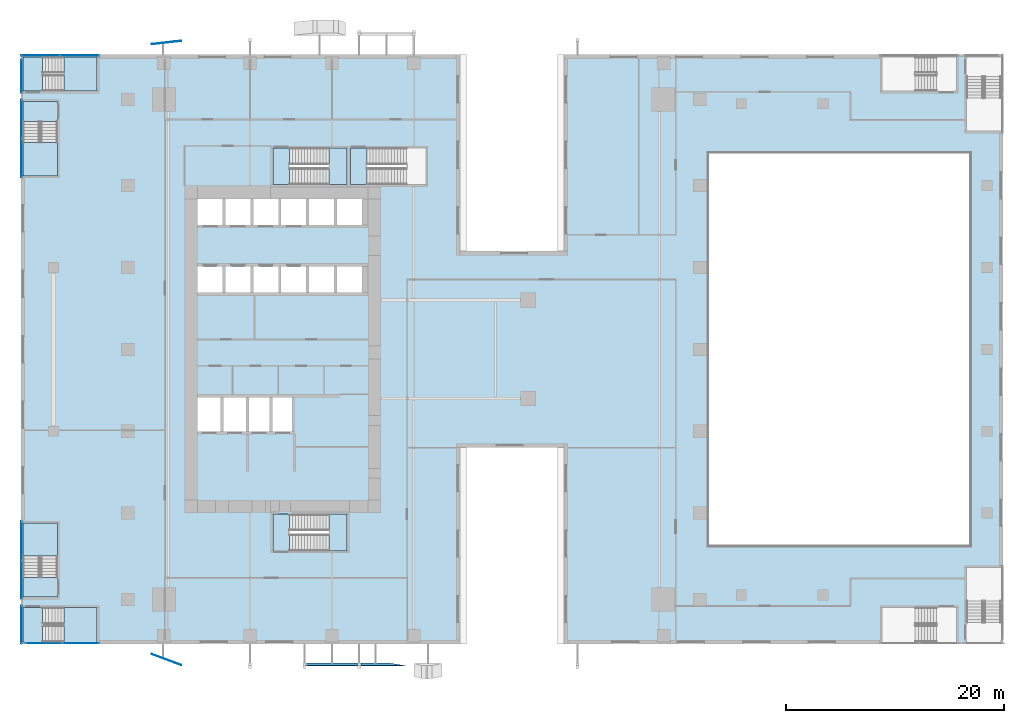
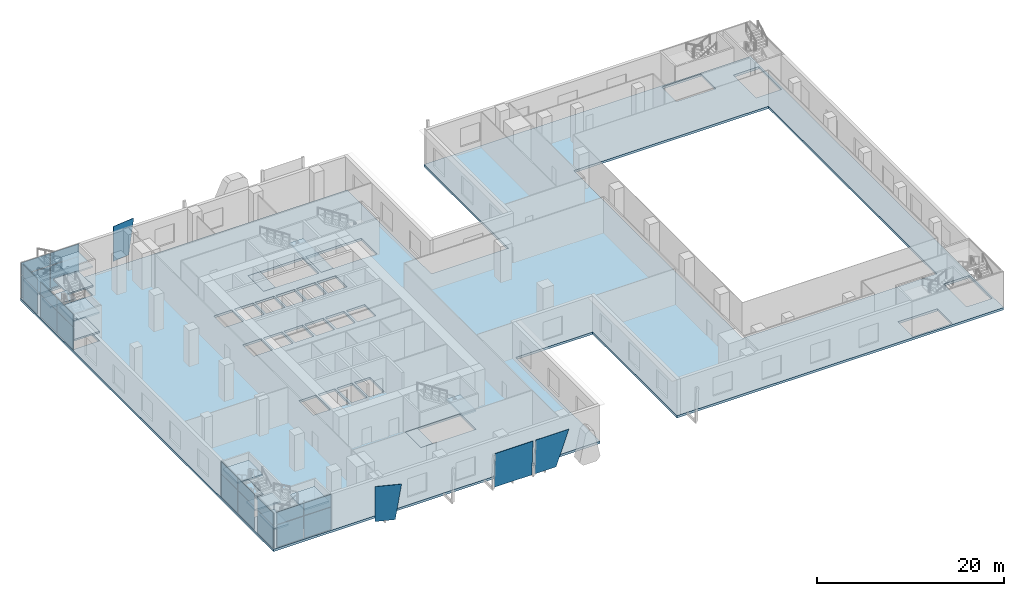
# One storey, part 8 of 22: 24 plates, 18 slabs, 12 elements without a shape of their own.
"""IFC4 building model written with IfcOpenShell, lengths in metres."""

from ifc_helpers import new_model, si_unit, direction, frame, origin, origin_2d, place, context, subcontext, project, spatial, polyline, rectangle, outline, extrude, source, transform, mapped, material, layer, layer_set, type_object, element, aggregate, save


model = new_model("IFC4")

# Units and contexts
model_context = context("Model", 3, precision=1e-05, world=origin(), true_north=direction((0.0, 1.0)))
body_context = subcontext(model_context, "Body", "Model", "MODEL_VIEW")
ifc_project = project(units=[si_unit("LENGTHUNIT", "METRE"), si_unit("AREAUNIT", "SQUARE_METRE"), si_unit("VOLUMEUNIT", "CUBIC_METRE"), si_unit("PLANEANGLEUNIT", "RADIAN"), si_unit("MASSUNIT", "GRAM", prefix="KILO")], contexts=[model_context])

# Site, building, storey
site_placement = place(None, origin())
site = spatial("IfcSite", under=ifc_project, at=site_placement, CompositionType="ELEMENT")
building_placement = place(site_placement, origin())
building = spatial("IfcBuilding", under=site, at=building_placement, Name="Khomas Fold Tower", CompositionType="ELEMENT")
storey_placement = place(building_placement, frame((0.0, 0.0, 23.5)))
storey = spatial("IfcBuildingStorey", under=building, at=storey_placement, Name="L04", CompositionType="ELEMENT", Elevation=23.5)

# Plates
ifc_material_1 = material(Name="Clear laminated glass", Category="glass")
ifc_layer_1 = layer(ifc_material_1, 0.0400390625)
ifc_layer_set_1 = layer_set([ifc_layer_1], Name="Clear laminated glass")
plate_type_1 = type_object("IfcPlateType", Name="SK-Clear laminated glass leaf", PredefinedType="SHEET", material=ifc_layer_set_1)
plate_1_placement = place(storey_placement, frame((5.69921875, -1.902099609375, 4.550048828125), z_axis=(0.348068119892, 0.937469244243, 3.762091e-06), x_axis=(-0.139598116523, 0.051834632873, -0.988850613944)))
element("IfcPlate", 1, at=plate_1_placement, inside=storey, type_object=plate_type_1, Name="OUTER SKIN glass L04 SG098-1", PredefinedType="SHEET", context=body_context, shape_type="SweptSolid", body=[
    extrude(outline(polyline([(0.0, 0.0), (4.601351067619656, 0.0), (4.928072958081401, 2.169613439699873), (0.4287543809130141, 2.8471654149579493), (0.0, 0.0)])), origin(), (0.0, 0.0, -1.0), 0.0400390625),
])
plate_2_placement = place(storey_placement, frame((21.830078125, -1.97705078125, 4.550048828125), z_axis=(0.0, 0.998628761104, 0.052350716295), x_axis=(0.0, 0.052350716295, -0.998628761104)))
element("IfcPlate", 2, at=plate_2_placement, inside=storey, type_object=plate_type_1, Name="OUTER SKIN glass L04 SG101-4", PredefinedType="SHEET", context=body_context, shape_type="SweptSolid", body=[
    extrude(outline(polyline([(0.0, 0.0), (4.556296599245323, 0.0), (4.556296599245323, 4.66015625), (0.0, 4.66015625), (0.0, 0.0)])), origin(), (0.0, 0.0, -1.0), 0.0400390625),
])
plate_3_placement = place(storey_placement, frame((26.255615234375, -1.97705078125, 4.550048828125), z_axis=(0.0, 0.998628761104, 0.052350716295), x_axis=(-0.299203666612, 0.049952491846, -0.952880850077)))
element("IfcPlate", 3, at=plate_3_placement, inside=storey, type_object=plate_type_1, Name="OUTER SKIN glass L04 SG102-6", PredefinedType="SHEET", context=body_context, shape_type="SweptSolid", body=[
    extrude(outline(polyline([(0.0, 0.0), (4.775044883896551, -4.440892098500626e-16), (5.570023766645895, 2.5352641215730056), (1.2224544337783954, 3.8985247702402144), (0.0, 0.0)])), origin(), (0.0, 0.0, -1.0), 0.0400390625),
])
plate_4_placement = place(storey_placement, frame((5.69482421875, 55.240234375, 4.550048828125), z_axis=(0.110655499588, -0.993858823178, 1.771094e-06), x_axis=(-0.139768022015, -0.015563431581, -0.990061957465)))
element("IfcPlate", 4, at=plate_4_placement, inside=storey, type_object=plate_type_1, Name="OUTER SKIN glass L04 NG098-1", PredefinedType="SHEET", context=body_context, shape_type="SweptSolid", body=[
    extrude(outline(polyline([(0.0, 0.0), (4.5957213019165035, -1.1102230246251565e-16), (4.886772103746781, -2.049025904869673), (0.3819418544117971, -2.688907740002728), (0.0, 0.0)])), origin(), (0.0, 0.0, -1.0), 0.0400390625),
])

# Slab
ifc_material_2 = material(Name="Concrete C40/50", Category="concrete")
ifc_layer_2 = layer(ifc_material_2, 0.300048828125)
ifc_layer_set_2 = layer_set([ifc_layer_2], Name="Concrete C40/50")
slab_type_1 = type_object("IfcSlabType", Name="RC floor slab 300", PredefinedType="FLOOR", material=ifc_layer_set_2)
shared_shape_1 = source(origin(), body_context, "Body", "SweptSolid", [
    extrude(outline(polyline([(-9.0, 0.0), (31.25, 0.0), (31.25, 18.0), (40.75, 18.0), (40.75, 0.0), (81.0, 0.0), (81.0, 54.0), (40.75, 54.0), (40.75, 36.0), (31.25, 36.0), (31.25, 54.0), (-9.0, 54.0), (-9.0, 0.0)]), holes=[polyline([(-8.800048828125, 6.2099609375), (-8.800048828125, 11.10009765625), (-5.64990234375, 11.10009765625), (-5.64990234375, 6.2099609375), (-8.800048828125, 6.2099609375)]), polyline([(-8.800048828125, 42.89990234375), (-8.800048828125, 47.7900390625), (-5.64990234375, 47.7900390625), (-5.64990234375, 42.89990234375), (-8.800048828125, 42.89990234375)]), polyline([(-6.889892578125, 0.199951171875), (-6.889892578125, 3.35009765625), (-2.0, 3.35009765625), (-2.0, 0.199951171875), (-6.889892578125, 0.199951171875)]), polyline([(-6.889892578125, 50.64990234375), (-6.889892578125, 53.800048828125), (-2.0, 53.800048828125), (-2.0, 50.64990234375), (-6.889892578125, 50.64990234375)]), polyline([(7.199951171875, 19.5), (7.199951171875, 22.60009765625), (9.300048828125, 22.60009765625), (9.300048828125, 19.5), (7.199951171875, 19.5)]), polyline([(7.199951171875, 32.199951171875), (7.199951171875, 34.60009765625), (9.5, 34.60009765625), (9.5, 32.199951171875), (7.199951171875, 32.199951171875)]), polyline([(7.199951171875, 38.39990234375), (7.199951171875, 40.800048828125), (9.5, 40.800048828125), (9.5, 38.39990234375), (7.199951171875, 38.39990234375)]), polyline([(9.550048828125, 19.5), (9.550048828125, 22.60009765625), (11.64990234375, 22.60009765625), (11.64990234375, 19.5), (9.550048828125, 19.5)]), polyline([(9.75, 32.199951171875), (9.75, 34.60009765625), (12.050048828125, 34.60009765625), (12.050048828125, 32.199951171875), (9.75, 32.199951171875)]), polyline([(9.75, 38.39990234375), (9.75, 40.800048828125), (12.050048828125, 40.800048828125), (12.050048828125, 38.39990234375), (9.75, 38.39990234375)]), polyline([(11.89990234375, 19.5), (11.89990234375, 22.60009765625), (13.800048828125, 22.60009765625), (13.800048828125, 19.5), (11.89990234375, 19.5)]), polyline([(12.300048828125, 32.199951171875), (12.300048828125, 34.60009765625), (14.60009765625, 34.60009765625), (14.60009765625, 32.199951171875), (12.300048828125, 32.199951171875)]), polyline([(12.300048828125, 38.39990234375), (12.300048828125, 40.800048828125), (14.60009765625, 40.800048828125), (14.60009765625, 38.39990234375), (12.300048828125, 38.39990234375)]), polyline([(14.050048828125, 19.5), (14.050048828125, 22.60009765625), (15.949951171875, 22.60009765625), (15.949951171875, 19.5), (14.050048828125, 19.5)]), polyline([(14.10009765625, 8.550048828125), (14.10009765625, 11.89990234375), (20.89990234375, 11.89990234375), (20.89990234375, 8.550048828125), (14.10009765625, 8.550048828125)]), polyline([(14.10009765625, 42.10009765625), (14.10009765625, 45.449951171875), (20.89990234375, 45.449951171875), (20.89990234375, 42.10009765625), (14.10009765625, 42.10009765625)]), polyline([(14.85009765625, 32.199951171875), (14.85009765625, 34.60009765625), (17.14990234375, 34.60009765625), (17.14990234375, 32.199951171875), (14.85009765625, 32.199951171875)]), polyline([(14.85009765625, 38.39990234375), (14.85009765625, 40.800048828125), (17.14990234375, 40.800048828125), (17.14990234375, 38.39990234375), (14.85009765625, 38.39990234375)]), polyline([(17.39990234375, 32.199951171875), (17.39990234375, 34.60009765625), (19.699951171875, 34.60009765625), (19.699951171875, 32.199951171875), (17.39990234375, 32.199951171875)]), polyline([(17.39990234375, 38.39990234375), (17.39990234375, 40.800048828125), (19.699951171875, 40.800048828125), (19.699951171875, 38.39990234375), (17.39990234375, 38.39990234375)]), polyline([(19.949951171875, 32.199951171875), (19.949951171875, 34.60009765625), (22.25, 34.60009765625), (22.25, 32.199951171875), (19.949951171875, 32.199951171875)]), polyline([(19.949951171875, 38.39990234375), (19.949951171875, 40.800048828125), (22.25, 40.800048828125), (22.25, 38.39990234375), (19.949951171875, 38.39990234375)]), polyline([(21.199951171875, 42.10009765625), (21.199951171875, 45.449951171875), (28.10009765625, 45.449951171875), (28.10009765625, 42.10009765625), (21.199951171875, 42.10009765625)]), polyline([(54.0, 9.0), (54.0, 45.0), (78.0, 45.0), (78.0, 9.0), (54.0, 9.0)]), polyline([(69.89990234375, 0.199951171875), (69.89990234375, 3.35009765625), (74.7900390625, 3.35009765625), (74.7900390625, 0.199951171875), (69.89990234375, 0.199951171875)]), polyline([(69.89990234375, 50.64990234375), (69.89990234375, 53.800048828125), (74.7900390625, 53.800048828125), (74.7900390625, 50.64990234375), (69.89990234375, 50.64990234375)]), polyline([(77.64990234375, 2.110107421875), (77.64990234375, 7.0), (80.800048828125, 7.0), (80.800048828125, 2.110107421875), (77.64990234375, 2.110107421875)]), polyline([(77.64990234375, 47.0), (77.64990234375, 51.889892578125), (80.800048828125, 51.889892578125), (80.800048828125, 47.0), (77.64990234375, 47.0)])]), origin(), (0.0, 0.0, 1.0), 0.300048828125),
])
slab_1_placement = place(storey_placement, frame((0.0, 0.0, -0.300048828125)))
element("IfcSlab", 5, at=slab_1_placement, inside=storey, type_object=slab_type_1, Name="S-L04", PredefinedType="FLOOR", context=body_context, shape_type="MappedRepresentation", body=[
    mapped(shared_shape_1, transform((0.0, 0.0, 0.0))),
])

# Curtain wall, plate
ifc_material_3 = material(Name="Aluminium framed double glazing", Category="aluminium")
curtain_wall_type = type_object("IfcCurtainWallType", Name="Shopfront glazing PD-CW", PredefinedType="NOTDEFINED", material=ifc_material_3)
curtain_wall_1_placement = place(storey_placement, origin())
curtain_wall_1 = element("IfcCurtainWall", 6, at=curtain_wall_1_placement, inside=storey, type_object=curtain_wall_type, Name="Podium stair-tower glazing", PredefinedType="NOTDEFINED")
ifc_material_4 = material(Name="Double glazed unit")
ifc_layer_3 = layer(ifc_material_4, 0.031982421875)
ifc_layer_set_3 = layer_set([ifc_layer_3], Name="Double glazed unit")
plate_type_2 = type_object("IfcPlateType", Name="Shopfront glazing panel PD-CW-P", PredefinedType="CURTAIN_PANEL", material=ifc_layer_set_3)
shared_shape_2 = source(origin(), body_context, "Body", "SweptSolid", [
    extrude(rectangle(XDim=3.0400390625, YDim=0.031982421875, at=origin_2d()), origin(), (0.0, 0.0, 1.0), 2.909912109375),
])
plate_5_placement = place(storey_placement, frame((-8.919921875, 52.02001953125, 0.06005859375), z_axis=(0.0, 0.0, 1.0), x_axis=(0.0, -1.0, 0.0)))
plate_5 = element("IfcPlate", 7, at=plate_5_placement, type_object=plate_type_2, Name="PD-CW panel 1.1", PredefinedType="CURTAIN_PANEL", context=body_context, shape_type="MappedRepresentation", body=[
    mapped(shared_shape_2, transform((0.0, 0.0, 0.0))),
])

# Curtain wall, plates
curtain_wall_2_placement = place(storey_placement, origin())
curtain_wall_2 = element("IfcCurtainWall", 8, at=curtain_wall_2_placement, inside=storey, type_object=curtain_wall_type, Name="Podium stair-tower glazing", PredefinedType="NOTDEFINED")
shared_shape_3 = source(origin(), body_context, "Body", "SweptSolid", [
    extrude(rectangle(XDim=3.52001953125, YDim=0.031982421875, at=origin_2d()), origin(), (0.0, 0.0, 1.0), 2.909912109375),
])
plate_6_placement = place(storey_placement, frame((-8.919921875, 48.090087890625, 0.06005859375), z_axis=(0.0, 0.0, 1.0), x_axis=(0.0, -1.0, 0.0)))
plate_6 = element("IfcPlate", 9, at=plate_6_placement, type_object=plate_type_2, Name="PD-CW panel 1.1", PredefinedType="CURTAIN_PANEL", context=body_context, shape_type="MappedRepresentation", body=[
    mapped(shared_shape_3, transform((0.0, 0.0, 0.0))),
])
plate_7_placement = place(storey_placement, frame((-8.919921875, 44.510009765625, 0.06005859375), z_axis=(0.0, 0.0, 1.0), x_axis=(0.0, -1.0, 0.0)))
plate_7 = element("IfcPlate", 10, at=plate_7_placement, type_object=plate_type_2, Name="PD-CW panel 2.1", PredefinedType="CURTAIN_PANEL", context=body_context, shape_type="MappedRepresentation", body=[
    mapped(shared_shape_3, transform((0.0, 0.0, 0.0))),
])

curtain_wall_3_placement = place(storey_placement, origin())
curtain_wall_3 = element("IfcCurtainWall", 11, at=curtain_wall_3_placement, inside=storey, type_object=curtain_wall_type, Name="Podium stair-tower glazing", PredefinedType="NOTDEFINED")
plate_8_placement = place(storey_placement, frame((-8.919921875, 9.489990234375, 0.06005859375), z_axis=(0.0, 0.0, 1.0), x_axis=(0.0, -1.0, 0.0)))
plate_8 = element("IfcPlate", 12, at=plate_8_placement, type_object=plate_type_2, Name="PD-CW panel 1.1", PredefinedType="CURTAIN_PANEL", context=body_context, shape_type="MappedRepresentation", body=[
    mapped(shared_shape_3, transform((0.0, 0.0, 0.0))),
])
plate_9_placement = place(storey_placement, frame((-8.919921875, 5.909912109375, 0.06005859375), z_axis=(0.0, 0.0, 1.0), x_axis=(0.0, -1.0, 0.0)))
plate_9 = element("IfcPlate", 13, at=plate_9_placement, type_object=plate_type_2, Name="PD-CW panel 2.1", PredefinedType="CURTAIN_PANEL", context=body_context, shape_type="MappedRepresentation", body=[
    mapped(shared_shape_3, transform((0.0, 0.0, 0.0))),
])

# Curtain wall, plate
curtain_wall_4_placement = place(storey_placement, origin())
curtain_wall_4 = element("IfcCurtainWall", 14, at=curtain_wall_4_placement, inside=storey, type_object=curtain_wall_type, Name="Podium stair-tower glazing", PredefinedType="NOTDEFINED")
shared_shape_4 = source(origin(), body_context, "Body", "SweptSolid", [
    extrude(rectangle(XDim=3.43994140625, YDim=0.031982421875, at=origin_2d()), origin(), (0.0, 0.0, 1.0), 2.909912109375),
])
plate_10_placement = place(storey_placement, frame((-8.919921875, 1.780029296875, 0.06005859375), z_axis=(0.0, 0.0, 1.0), x_axis=(0.0, -1.0, 0.0)))
plate_10 = element("IfcPlate", 15, at=plate_10_placement, type_object=plate_type_2, Name="PD-CW panel 1.1", PredefinedType="CURTAIN_PANEL", context=body_context, shape_type="MappedRepresentation", body=[
    mapped(shared_shape_4, transform((0.0, 0.0, 0.0))),
])

# Curtain wall, plates
curtain_wall_5_placement = place(storey_placement, origin())
curtain_wall_5 = element("IfcCurtainWall", 16, at=curtain_wall_5_placement, inside=storey, type_object=curtain_wall_type, Name="Podium stair-tower glazing", PredefinedType="NOTDEFINED")
shared_shape_5 = source(origin(), body_context, "Body", "SweptSolid", [
    extrude(rectangle(XDim=3.31494140625, YDim=0.031982421875, at=origin_2d()), origin(), (0.0, 0.0, 1.0), 2.909912109375),
])
plate_11_placement = place(storey_placement, frame((-6.882568359375, 0.080078125, 0.06005859375), z_axis=(0.0, 0.0, 1.0), x_axis=(1.0, 0.0, 0.0)))
plate_11 = element("IfcPlate", 17, at=plate_11_placement, type_object=plate_type_2, Name="PD-CW panel 1.1", PredefinedType="CURTAIN_PANEL", context=body_context, shape_type="MappedRepresentation", body=[
    mapped(shared_shape_5, transform((0.0, 0.0, 0.0))),
])
plate_12_placement = place(storey_placement, frame((-3.507568359375, 0.080078125, 0.06005859375), z_axis=(0.0, 0.0, 1.0), x_axis=(1.0, 0.0, 0.0)))
plate_12 = element("IfcPlate", 18, at=plate_12_placement, type_object=plate_type_2, Name="PD-CW panel 2.1", PredefinedType="CURTAIN_PANEL", context=body_context, shape_type="MappedRepresentation", body=[
    mapped(shared_shape_5, transform((0.0, 0.0, 0.0))),
])

curtain_wall_6_placement = place(storey_placement, origin())
curtain_wall_6 = element("IfcCurtainWall", 19, at=curtain_wall_6_placement, inside=storey, type_object=curtain_wall_type, Name="Podium stair-tower glazing", PredefinedType="NOTDEFINED")
shared_shape_6 = source(origin(), body_context, "Body", "SweptSolid", [
    extrude(rectangle(XDim=3.514892578125, YDim=0.031982421875, at=origin_2d()), origin(), (0.0, 0.0, 1.0), 2.909912109375),
])
plate_13_placement = place(storey_placement, frame((-3.607421875, 53.919921875, 0.06005859375), z_axis=(0.0, 0.0, 1.0), x_axis=(-1.0, 0.0, 0.0)))
plate_13 = element("IfcPlate", 20, at=plate_13_placement, type_object=plate_type_2, Name="PD-CW panel 1.1", PredefinedType="CURTAIN_PANEL", context=body_context, shape_type="MappedRepresentation", body=[
    mapped(shared_shape_6, transform((0.0, 0.0, 0.0))),
])
plate_14_placement = place(storey_placement, frame((-7.1826171875, 53.919921875, 0.06005859375), z_axis=(0.0, 0.0, 1.0), x_axis=(-1.0, 0.0, 0.0)))
plate_14 = element("IfcPlate", 21, at=plate_14_placement, type_object=plate_type_2, Name="PD-CW panel 2.1", PredefinedType="CURTAIN_PANEL", context=body_context, shape_type="MappedRepresentation", body=[
    mapped(shared_shape_6, transform((0.0, 0.0, 0.0))),
])

# Plate
shared_shape_7 = source(origin(), body_context, "Body", "SweptSolid", [
    extrude(rectangle(XDim=3.0400390625, YDim=0.031982421875, at=origin_2d()), origin(), (0.0, 0.0, 1.0), 1.610107421875),
])
plate_15_placement = place(storey_placement, frame((-8.919921875, 52.02001953125, 3.02978515625), z_axis=(0.0, 0.0, 1.0), x_axis=(0.0, -1.0, 0.0)))
plate_15 = element("IfcPlate", 22, at=plate_15_placement, type_object=plate_type_2, Name="PD-CW panel 1.2", PredefinedType="CURTAIN_PANEL", context=body_context, shape_type="MappedRepresentation", body=[
    mapped(shared_shape_7, transform((0.0, 0.0, 0.0))),
])

aggregate(curtain_wall_1, [plate_5, plate_15])

shared_shape_8 = source(origin(), body_context, "Body", "SweptSolid", [
    extrude(rectangle(XDim=3.52001953125, YDim=0.031982421875, at=origin_2d()), origin(), (0.0, 0.0, 1.0), 1.610107421875),
])
plate_16_placement = place(storey_placement, frame((-8.919921875, 48.090087890625, 3.02978515625), z_axis=(0.0, 0.0, 1.0), x_axis=(0.0, -1.0, 0.0)))
plate_16 = element("IfcPlate", 23, at=plate_16_placement, type_object=plate_type_2, Name="PD-CW panel 1.2", PredefinedType="CURTAIN_PANEL", context=body_context, shape_type="MappedRepresentation", body=[
    mapped(shared_shape_8, transform((0.0, 0.0, 0.0))),
])

plate_17_placement = place(storey_placement, frame((-8.919921875, 44.510009765625, 3.02978515625), z_axis=(0.0, 0.0, 1.0), x_axis=(0.0, -1.0, 0.0)))
plate_17 = element("IfcPlate", 24, at=plate_17_placement, type_object=plate_type_2, Name="PD-CW panel 2.2", PredefinedType="CURTAIN_PANEL", context=body_context, shape_type="MappedRepresentation", body=[
    mapped(shared_shape_8, transform((0.0, 0.0, 0.0))),
])

aggregate(curtain_wall_2, [plate_6, plate_16, plate_7, plate_17])

plate_18_placement = place(storey_placement, frame((-8.919921875, 9.489990234375, 3.02978515625), z_axis=(0.0, 0.0, 1.0), x_axis=(0.0, -1.0, 0.0)))
plate_18 = element("IfcPlate", 25, at=plate_18_placement, type_object=plate_type_2, Name="PD-CW panel 1.2", PredefinedType="CURTAIN_PANEL", context=body_context, shape_type="MappedRepresentation", body=[
    mapped(shared_shape_8, transform((0.0, 0.0, 0.0))),
])

plate_19_placement = place(storey_placement, frame((-8.919921875, 5.909912109375, 3.02978515625), z_axis=(0.0, 0.0, 1.0), x_axis=(0.0, -1.0, 0.0)))
plate_19 = element("IfcPlate", 26, at=plate_19_placement, type_object=plate_type_2, Name="PD-CW panel 2.2", PredefinedType="CURTAIN_PANEL", context=body_context, shape_type="MappedRepresentation", body=[
    mapped(shared_shape_8, transform((0.0, 0.0, 0.0))),
])

aggregate(curtain_wall_3, [plate_8, plate_18, plate_9, plate_19])

shared_shape_9 = source(origin(), body_context, "Body", "SweptSolid", [
    extrude(rectangle(XDim=3.43994140625, YDim=0.031982421875, at=origin_2d()), origin(), (0.0, 0.0, 1.0), 1.610107421875),
])
plate_20_placement = place(storey_placement, frame((-8.919921875, 1.780029296875, 3.02978515625), z_axis=(0.0, 0.0, 1.0), x_axis=(0.0, -1.0, 0.0)))
plate_20 = element("IfcPlate", 27, at=plate_20_placement, type_object=plate_type_2, Name="PD-CW panel 1.2", PredefinedType="CURTAIN_PANEL", context=body_context, shape_type="MappedRepresentation", body=[
    mapped(shared_shape_9, transform((0.0, 0.0, 0.0))),
])

aggregate(curtain_wall_4, [plate_10, plate_20])

shared_shape_10 = source(origin(), body_context, "Body", "SweptSolid", [
    extrude(rectangle(XDim=3.31494140625, YDim=0.031982421875, at=origin_2d()), origin(), (0.0, 0.0, 1.0), 1.610107421875),
])
plate_21_placement = place(storey_placement, frame((-6.882568359375, 0.080078125, 3.02978515625), z_axis=(0.0, 0.0, 1.0), x_axis=(1.0, 0.0, 0.0)))
plate_21 = element("IfcPlate", 28, at=plate_21_placement, type_object=plate_type_2, Name="PD-CW panel 1.2", PredefinedType="CURTAIN_PANEL", context=body_context, shape_type="MappedRepresentation", body=[
    mapped(shared_shape_10, transform((0.0, 0.0, 0.0))),
])

plate_22_placement = place(storey_placement, frame((-3.507568359375, 0.080078125, 3.02978515625), z_axis=(0.0, 0.0, 1.0), x_axis=(1.0, 0.0, 0.0)))
plate_22 = element("IfcPlate", 29, at=plate_22_placement, type_object=plate_type_2, Name="PD-CW panel 2.2", PredefinedType="CURTAIN_PANEL", context=body_context, shape_type="MappedRepresentation", body=[
    mapped(shared_shape_10, transform((0.0, 0.0, 0.0))),
])

aggregate(curtain_wall_5, [plate_11, plate_21, plate_12, plate_22])

shared_shape_11 = source(origin(), body_context, "Body", "SweptSolid", [
    extrude(rectangle(XDim=3.514892578125, YDim=0.031982421875, at=origin_2d()), origin(), (0.0, 0.0, 1.0), 1.610107421875),
])
plate_23_placement = place(storey_placement, frame((-3.607421875, 53.919921875, 3.02978515625), z_axis=(0.0, 0.0, 1.0), x_axis=(-1.0, 0.0, 0.0)))
plate_23 = element("IfcPlate", 30, at=plate_23_placement, type_object=plate_type_2, Name="PD-CW panel 1.2", PredefinedType="CURTAIN_PANEL", context=body_context, shape_type="MappedRepresentation", body=[
    mapped(shared_shape_11, transform((0.0, 0.0, 0.0))),
])

plate_24_placement = place(storey_placement, frame((-7.1826171875, 53.919921875, 3.02978515625), z_axis=(0.0, 0.0, 1.0), x_axis=(-1.0, 0.0, 0.0)))
plate_24 = element("IfcPlate", 31, at=plate_24_placement, type_object=plate_type_2, Name="PD-CW panel 2.2", PredefinedType="CURTAIN_PANEL", context=body_context, shape_type="MappedRepresentation", body=[
    mapped(shared_shape_11, transform((0.0, 0.0, 0.0))),
])

aggregate(curtain_wall_6, [plate_13, plate_23, plate_14, plate_24])

# Stair, slab
ifc_material_5 = material(Name="Concrete C40/50", Category="concrete")
stair_type_1 = type_object("IfcStairType", Name="Stair ST1", PredefinedType="HALF_TURN_STAIR", material=ifc_material_5)
stair_1_placement = place(storey_placement, origin())
stair_1 = element("IfcStair", 32, at=stair_1_placement, inside=storey, type_object=stair_type_1, Name="L04 ST1", PredefinedType="HALF_TURN_STAIR")
ifc_material_6 = material(Name="Concrete C40/50", Category="concrete")
ifc_layer_4 = layer(ifc_material_6, 0.199951171875)
ifc_layer_set_4 = layer_set([ifc_layer_4], Name="Concrete C40/50")
slab_type_2 = type_object("IfcSlabType", Name="Stair landing 200", PredefinedType="LANDING", material=ifc_layer_set_4)
shared_shape_12 = source(origin(), body_context, "Body", "SweptSolid", [
    extrude(outline(polyline([(19.239990234375, 42.10009765625), (20.89990234375, 42.10009765625), (20.89990234375, 45.449951171875), (19.239990234375, 45.449951171875), (19.239990234375, 42.10009765625)])), origin(), (0.0, 0.0, 1.0), 0.199951171875),
])
slab_2_placement = place(storey_placement, frame((0.0, 0.0, 2.300048828125)))
slab_2 = element("IfcSlab", 33, at=slab_2_placement, type_object=slab_type_2, Name="ST1 landing 1", PredefinedType="LANDING", context=body_context, shape_type="MappedRepresentation", body=[
    mapped(shared_shape_12, transform((0.0, 0.0, 0.0))),
])
aggregate(stair_1, [slab_2])

# Slab
ifc_material_7 = material(Name="Concrete C40/50", Category="concrete")
ifc_layer_5 = layer(ifc_material_7, 0.300048828125)
ifc_layer_set_5 = layer_set([ifc_layer_5], Name="Concrete C40/50")
slab_type_3 = type_object("IfcSlabType", Name="Stair floor landing 300", PredefinedType="LANDING", material=ifc_layer_set_5)
shared_shape_13 = source(origin(), body_context, "Body", "SweptSolid", [
    extrude(outline(polyline([(14.10009765625, 45.449951171875), (15.60009765625, 45.449951171875), (15.60009765625, 42.10009765625), (14.10009765625, 42.10009765625), (14.10009765625, 45.449951171875)])), origin(), (0.0, 0.0, 1.0), 0.300048828125),
])
slab_3_placement = place(storey_placement, frame((0.0, 0.0, -0.300048828125)))
element("IfcSlab", 34, at=slab_3_placement, inside=storey, type_object=slab_type_3, Name="ST1 floor landing", PredefinedType="LANDING", context=body_context, shape_type="MappedRepresentation", body=[
    mapped(shared_shape_13, transform((0.0, 0.0, 0.0))),
])

# Stair, slab
ifc_material_8 = material(Name="Concrete C40/50", Category="concrete")
stair_type_2 = type_object("IfcStairType", Name="Stair ST2", PredefinedType="HALF_TURN_STAIR", material=ifc_material_8)
stair_2_placement = place(storey_placement, origin())
stair_2 = element("IfcStair", 35, at=stair_2_placement, inside=storey, type_object=stair_type_2, Name="L04 ST2", PredefinedType="HALF_TURN_STAIR")
shared_shape_14 = source(origin(), body_context, "Body", "SweptSolid", [
    extrude(outline(polyline([(19.239990234375, 8.550048828125), (20.89990234375, 8.550048828125), (20.89990234375, 11.89990234375), (19.239990234375, 11.89990234375), (19.239990234375, 8.550048828125)])), origin(), (0.0, 0.0, 1.0), 0.199951171875),
])
slab_4_placement = place(storey_placement, frame((0.0, 0.0, 2.300048828125)))
slab_4 = element("IfcSlab", 36, at=slab_4_placement, type_object=slab_type_2, Name="ST2 landing 1", PredefinedType="LANDING", context=body_context, shape_type="MappedRepresentation", body=[
    mapped(shared_shape_14, transform((0.0, 0.0, 0.0))),
])
aggregate(stair_2, [slab_4])

# Slabs
shared_shape_15 = source(origin(), body_context, "Body", "SweptSolid", [
    extrude(outline(polyline([(14.10009765625, 11.89990234375), (15.60009765625, 11.89990234375), (15.60009765625, 8.550048828125), (14.10009765625, 8.550048828125), (14.10009765625, 11.89990234375)])), origin(), (0.0, 0.0, 1.0), 0.300048828125),
])
slab_5_placement = place(storey_placement, frame((0.0, 0.0, -0.300048828125)))
element("IfcSlab", 37, at=slab_5_placement, inside=storey, type_object=slab_type_3, Name="ST2 floor landing", PredefinedType="LANDING", context=body_context, shape_type="MappedRepresentation", body=[
    mapped(shared_shape_15, transform((0.0, 0.0, 0.0))),
])
shared_shape_16 = source(origin(), body_context, "Body", "SweptSolid", [
    extrude(outline(polyline([(21.199951171875, 45.449951171875), (22.699951171875, 45.449951171875), (22.699951171875, 42.10009765625), (21.199951171875, 42.10009765625), (21.199951171875, 45.449951171875)])), origin(), (0.0, 0.0, 1.0), 0.300048828125),
])
slab_6_placement = place(storey_placement, frame((0.0, 0.0, -0.300048828125)))
element("IfcSlab", 38, at=slab_6_placement, inside=storey, type_object=slab_type_3, Name="ST3 floor landing", PredefinedType="LANDING", context=body_context, shape_type="MappedRepresentation", body=[
    mapped(shared_shape_16, transform((0.0, 0.0, 0.0))),
])

# Stair, slabs
ifc_material_9 = material(Name="Concrete C40/50", Category="concrete")
stair_type_3 = type_object("IfcStairType", Name="Stair PS1", PredefinedType="HALF_TURN_STAIR", material=ifc_material_9)
stair_3_placement = place(storey_placement, origin())
stair_3 = element("IfcStair", 39, at=stair_3_placement, inside=storey, type_object=stair_type_3, Name="L04 PS1", PredefinedType="HALF_TURN_STAIR")
shared_shape_17 = source(origin(), body_context, "Body", "SweptSolid", [
    extrude(outline(polyline([(-8.800048828125, 0.199951171875), (-7.0, 0.199951171875), (-7.0, 3.35009765625), (-8.800048828125, 3.35009765625), (-8.800048828125, 0.199951171875)])), origin(), (0.0, 0.0, 1.0), 0.199951171875),
])
slab_7_placement = place(storey_placement, frame((0.0, 0.0, 2.300048828125)))
slab_7 = element("IfcSlab", 40, at=slab_7_placement, type_object=slab_type_2, Name="PS1 landing 2", PredefinedType="LANDING", context=body_context, shape_type="MappedRepresentation", body=[
    mapped(shared_shape_17, transform((0.0, 0.0, 0.0))),
])
shared_shape_18 = source(origin(), body_context, "Body", "SweptSolid", [
    extrude(outline(polyline([(-5.0400390625, 0.199951171875), (-2.0, 0.199951171875), (-2.0, 3.35009765625), (-5.0400390625, 3.35009765625), (-5.0400390625, 0.199951171875)])), origin(), (0.0, 0.0, 1.0), 0.199951171875),
])
slab_8_placement = place(storey_placement, frame((0.0, 0.0, 1.050048828125)))
slab_8 = element("IfcSlab", 41, at=slab_8_placement, type_object=slab_type_2, Name="PS1 landing 1", PredefinedType="LANDING", context=body_context, shape_type="MappedRepresentation", body=[
    mapped(shared_shape_18, transform((0.0, 0.0, 0.0))),
])
slab_9_placement = place(storey_placement, frame((0.0, 0.0, 3.550048828125)))
slab_9 = element("IfcSlab", 42, at=slab_9_placement, type_object=slab_type_2, Name="PS1 landing 3", PredefinedType="LANDING", context=body_context, shape_type="MappedRepresentation", body=[
    mapped(shared_shape_18, transform((0.0, 0.0, 0.0))),
])
aggregate(stair_3, [slab_8, slab_7, slab_9])

ifc_material_10 = material(Name="Concrete C40/50", Category="concrete")
stair_type_4 = type_object("IfcStairType", Name="Stair PS2", PredefinedType="HALF_TURN_STAIR", material=ifc_material_10)
stair_4_placement = place(storey_placement, origin())
stair_4 = element("IfcStair", 43, at=stair_4_placement, inside=storey, type_object=stair_type_4, Name="L04 PS2", PredefinedType="HALF_TURN_STAIR")
shared_shape_19 = source(origin(), body_context, "Body", "SweptSolid", [
    extrude(outline(polyline([(-5.64990234375, 4.300048828125), (-5.64990234375, 6.10009765625), (-8.800048828125, 6.10009765625), (-8.800048828125, 4.300048828125), (-5.64990234375, 4.300048828125)])), origin(), (0.0, 0.0, 1.0), 0.199951171875),
])
slab_10_placement = place(storey_placement, frame((0.0, 0.0, 2.300048828125)))
slab_10 = element("IfcSlab", 44, at=slab_10_placement, type_object=slab_type_2, Name="PS2 landing 2", PredefinedType="LANDING", context=body_context, shape_type="MappedRepresentation", body=[
    mapped(shared_shape_19, transform((0.0, 0.0, 0.0))),
])
shared_shape_20 = source(origin(), body_context, "Body", "SweptSolid", [
    extrude(outline(polyline([(-5.64990234375, 8.06005859375), (-5.64990234375, 11.10009765625), (-8.800048828125, 11.10009765625), (-8.800048828125, 8.06005859375), (-5.64990234375, 8.06005859375)])), origin(), (0.0, 0.0, 1.0), 0.199951171875),
])
slab_11_placement = place(storey_placement, frame((0.0, 0.0, 1.050048828125)))
slab_11 = element("IfcSlab", 45, at=slab_11_placement, type_object=slab_type_2, Name="PS2 landing 1", PredefinedType="LANDING", context=body_context, shape_type="MappedRepresentation", body=[
    mapped(shared_shape_20, transform((0.0, 0.0, 0.0))),
])
slab_12_placement = place(storey_placement, frame((0.0, 0.0, 3.550048828125)))
slab_12 = element("IfcSlab", 46, at=slab_12_placement, type_object=slab_type_2, Name="PS2 landing 3", PredefinedType="LANDING", context=body_context, shape_type="MappedRepresentation", body=[
    mapped(shared_shape_20, transform((0.0, 0.0, 0.0))),
])
aggregate(stair_4, [slab_11, slab_10, slab_12])

ifc_material_11 = material(Name="Concrete C40/50", Category="concrete")
stair_type_5 = type_object("IfcStairType", Name="Stair PS7", PredefinedType="HALF_TURN_STAIR", material=ifc_material_11)
stair_5_placement = place(storey_placement, origin())
stair_5 = element("IfcStair", 47, at=stair_5_placement, inside=storey, type_object=stair_type_5, Name="L04 PS7", PredefinedType="HALF_TURN_STAIR")
shared_shape_21 = source(origin(), body_context, "Body", "SweptSolid", [
    extrude(outline(polyline([(-8.800048828125, 50.64990234375), (-7.0, 50.64990234375), (-7.0, 53.800048828125), (-8.800048828125, 53.800048828125), (-8.800048828125, 50.64990234375)])), origin(), (0.0, 0.0, 1.0), 0.199951171875),
])
slab_13_placement = place(storey_placement, frame((0.0, 0.0, 2.300048828125)))
slab_13 = element("IfcSlab", 48, at=slab_13_placement, type_object=slab_type_2, Name="PS7 landing 2", PredefinedType="LANDING", context=body_context, shape_type="MappedRepresentation", body=[
    mapped(shared_shape_21, transform((0.0, 0.0, 0.0))),
])
shared_shape_22 = source(origin(), body_context, "Body", "SweptSolid", [
    extrude(outline(polyline([(-5.0400390625, 50.64990234375), (-2.0, 50.64990234375), (-2.0, 53.800048828125), (-5.0400390625, 53.800048828125), (-5.0400390625, 50.64990234375)])), origin(), (0.0, 0.0, 1.0), 0.199951171875),
])
slab_14_placement = place(storey_placement, frame((0.0, 0.0, 1.050048828125)))
slab_14 = element("IfcSlab", 49, at=slab_14_placement, type_object=slab_type_2, Name="PS7 landing 1", PredefinedType="LANDING", context=body_context, shape_type="MappedRepresentation", body=[
    mapped(shared_shape_22, transform((0.0, 0.0, 0.0))),
])
slab_15_placement = place(storey_placement, frame((0.0, 0.0, 3.550048828125)))
slab_15 = element("IfcSlab", 50, at=slab_15_placement, type_object=slab_type_2, Name="PS7 landing 3", PredefinedType="LANDING", context=body_context, shape_type="MappedRepresentation", body=[
    mapped(shared_shape_22, transform((0.0, 0.0, 0.0))),
])
aggregate(stair_5, [slab_14, slab_13, slab_15])

ifc_material_12 = material(Name="Concrete C40/50", Category="concrete")
stair_type_6 = type_object("IfcStairType", Name="Stair PS8", PredefinedType="HALF_TURN_STAIR", material=ifc_material_12)
stair_6_placement = place(storey_placement, origin())
stair_6 = element("IfcStair", 51, at=stair_6_placement, inside=storey, type_object=stair_type_6, Name="L04 PS8", PredefinedType="HALF_TURN_STAIR")
shared_shape_23 = source(origin(), body_context, "Body", "SweptSolid", [
    extrude(outline(polyline([(-8.800048828125, 49.699951171875), (-8.800048828125, 47.89990234375), (-5.64990234375, 47.89990234375), (-5.64990234375, 49.699951171875), (-8.800048828125, 49.699951171875)])), origin(), (0.0, 0.0, 1.0), 0.199951171875),
])
slab_16_placement = place(storey_placement, frame((0.0, 0.0, 2.300048828125)))
slab_16 = element("IfcSlab", 52, at=slab_16_placement, type_object=slab_type_2, Name="PS8 landing 2", PredefinedType="LANDING", context=body_context, shape_type="MappedRepresentation", body=[
    mapped(shared_shape_23, transform((0.0, 0.0, 0.0))),
])
shared_shape_24 = source(origin(), body_context, "Body", "SweptSolid", [
    extrude(outline(polyline([(-8.800048828125, 45.93994140625), (-8.800048828125, 42.89990234375), (-5.64990234375, 42.89990234375), (-5.64990234375, 45.93994140625), (-8.800048828125, 45.93994140625)])), origin(), (0.0, 0.0, 1.0), 0.199951171875),
])
slab_17_placement = place(storey_placement, frame((0.0, 0.0, 1.050048828125)))
slab_17 = element("IfcSlab", 53, at=slab_17_placement, type_object=slab_type_2, Name="PS8 landing 1", PredefinedType="LANDING", context=body_context, shape_type="MappedRepresentation", body=[
    mapped(shared_shape_24, transform((0.0, 0.0, 0.0))),
])
slab_18_placement = place(storey_placement, frame((0.0, 0.0, 3.550048828125)))
slab_18 = element("IfcSlab", 54, at=slab_18_placement, type_object=slab_type_2, Name="PS8 landing 3", PredefinedType="LANDING", context=body_context, shape_type="MappedRepresentation", body=[
    mapped(shared_shape_24, transform((0.0, 0.0, 0.0))),
])
aggregate(stair_6, [slab_17, slab_16, slab_18])

save(model, "model.ifc")
